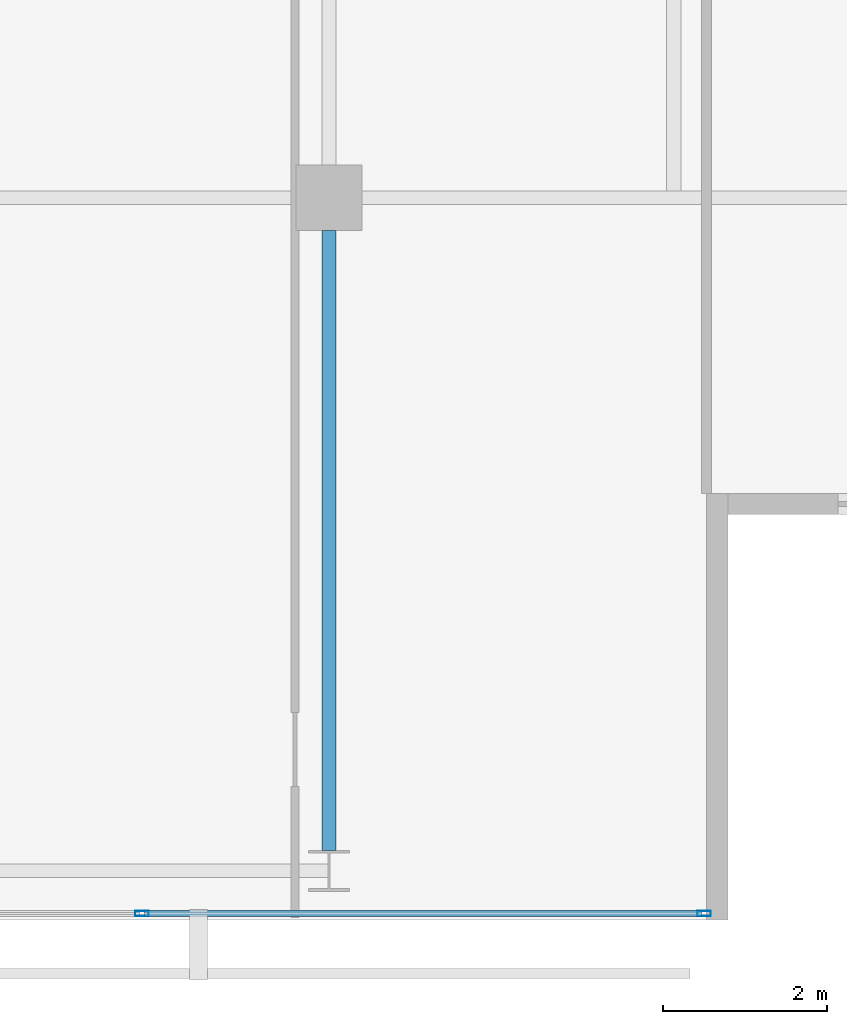
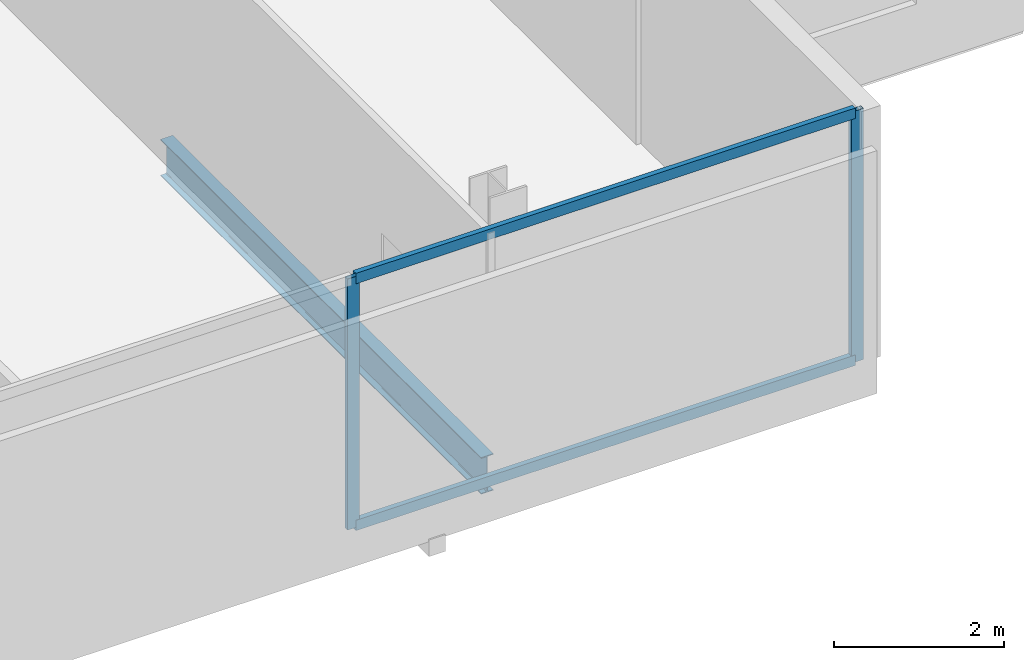
# One storey, part 10 of 25: 4 members, 1 beam, 1 element without a shape of its own.
"""IFC4 building model written with IfcOpenShell, lengths in metres."""

from ifc_helpers import new_model, si_unit, direction, frame, origin, origin_2d, place, context, subcontext, project, spatial, hollow_rectangle, i_section, extrude, material, layer, layer_set, material_profile, profile_set, type_object, element, aggregate, save


model = new_model("IFC4")

# Units and contexts
model_context = context("Model", 3, precision=1e-05, world=origin(), true_north=direction((0.0, 1.0)))
body_context = subcontext(model_context, "Body", "Model", "MODEL_VIEW")
ifc_project = project(units=[si_unit("LENGTHUNIT", "METRE"), si_unit("AREAUNIT", "SQUARE_METRE"), si_unit("VOLUMEUNIT", "CUBIC_METRE"), si_unit("PLANEANGLEUNIT", "RADIAN"), si_unit("MASSUNIT", "GRAM", prefix="KILO")], contexts=[model_context])

# Site, building, storey
site_placement = place(None, origin())
site = spatial("IfcSite", under=ifc_project, at=site_placement, CompositionType="ELEMENT")
building_placement = place(site_placement, origin())
building = spatial("IfcBuilding", under=site, at=building_placement, Name="Maruvema Waterfront Hotel and Observation Tower", CompositionType="ELEMENT")
storey_placement = place(building_placement, frame((0.0, 0.0, 304.85009765625)))
storey = spatial("IfcBuildingStorey", under=building, at=storey_placement, Name="L75", CompositionType="ELEMENT", Elevation=304.85009765625)

# Curtain wall, members
ifc_material_1 = material(Name="Anodised bronze aluminium and solar-control low-E IGU", Category="aluminium")
ifc_layer = layer(ifc_material_1, 0.159912109375, Name="Zone 3 Champagne Inner Thermal Curtain Wall System CW-04")
ifc_layer_set = layer_set([ifc_layer], Name="Anodised bronze aluminium and solar-control low-E IGU")
curtain_wall_type = type_object("IfcCurtainWallType", Name="Zone 3 Champagne Inner Thermal Curtain Wall System CW-04", PredefinedType="USERDEFINED", material=ifc_layer_set)
curtain_wall_placement = place(storey_placement, origin())
curtain_wall = element("IfcCurtainWall", 1, at=curtain_wall_placement, inside=storey, type_object=curtain_wall_type, Name="L75 Curtain Wall CW-L75-S", ObjectType="UNITISED CURTAIN WALL", PredefinedType="USERDEFINED")
ifc_material_2 = material(Name="Anodised architectural bronze aluminium", Category="aluminium")
ifc_material_profile_1 = material_profile(ifc_material_2, hollow_rectangle(XDim=0.070068359375, YDim=0.14990234375, WallThickness=0.00390625, at=origin_2d()), Name="ALU-T70x150")
ifc_profile_set_1 = profile_set([ifc_material_profile_1], Name="Anodised architectural bronze aluminium")
member_type_1 = type_object("IfcMemberType", Name="Curtain Wall Horizontal Transom ALU-T70x150", PredefinedType="USERDEFINED", material=ifc_profile_set_1)
member_1_placement = place(storey_placement, frame((48.14990234375, 9.280029296875, 0.02978515625), z_axis=(1.0, 0.0, 0.0), x_axis=(0.0, 1.0, 0.0)))
member_1 = element("IfcMember", 2, at=member_1_placement, type_object=member_type_1, Name="CW-04 transom 5.1", ObjectType="TRANSOM", PredefinedType="USERDEFINED", context=body_context, shape_type="SweptSolid", body=[
    extrude(hollow_rectangle(XDim=0.070068359375, YDim=0.14990234375, WallThickness=0.00390625, at=origin_2d()), origin(), (0.0, 0.0, 1.0), 6.7900390625),
])
member_2_placement = place(storey_placement, frame((48.14990234375, 9.280029296875, 3.579833984375), z_axis=(1.0, 0.0, 0.0), x_axis=(0.0, 1.0, 0.0)))
member_2 = element("IfcMember", 3, at=member_2_placement, type_object=member_type_1, Name="CW-04 transom 5.2", ObjectType="TRANSOM", PredefinedType="USERDEFINED", context=body_context, shape_type="SweptSolid", body=[
    extrude(hollow_rectangle(XDim=0.070068359375, YDim=0.14990234375, WallThickness=0.00390625, at=origin_2d()), origin(), (0.0, 0.0, 1.0), 6.7900390625),
])
ifc_material_3 = material(Name="Anodised architectural bronze aluminium", Category="aluminium")
ifc_material_profile_2 = material_profile(ifc_material_3, hollow_rectangle(XDim=0.06494140625, YDim=0.1650390625, WallThickness=0.00390625, at=origin_2d()), Name="ALU-M65x165")
ifc_profile_set_2 = profile_set([ifc_material_profile_2], Name="Anodised architectural bronze aluminium")
member_type_2 = type_object("IfcMemberType", Name="Curtain Wall Primary Mullion ALU-M65x165", PredefinedType="MULLION", material=ifc_profile_set_2)
member_3_placement = place(storey_placement, frame((48.1201171875, 9.280029296875, 0.0), z_axis=(0.0, 0.0, 1.0), x_axis=(0.0, 1.0, 0.0)))
member_3 = element("IfcMember", 4, at=member_3_placement, type_object=member_type_2, Name="CW-04 mullion 5", PredefinedType="MULLION", context=body_context, shape_type="SweptSolid", body=[
    extrude(hollow_rectangle(XDim=0.06494140625, YDim=0.1650390625, WallThickness=0.00390625, at=origin_2d()), origin(), (0.0, 0.0, 1.0), 3.60986328125),
])
member_4_placement = place(storey_placement, frame((54.969970703125, 9.280029296875, 0.0), z_axis=(0.0, 0.0, 1.0), x_axis=(0.0, 1.0, 0.0)))
member_4 = element("IfcMember", 5, at=member_4_placement, type_object=member_type_2, Name="CW-04 mullion 6", PredefinedType="MULLION", context=body_context, shape_type="SweptSolid", body=[
    extrude(hollow_rectangle(XDim=0.06494140625, YDim=0.1650390625, WallThickness=0.00390625, at=origin_2d()), origin(), (0.0, 0.0, 1.0), 3.60986328125),
])
aggregate(curtain_wall, [member_3, member_4, member_1, member_2])

# Beam
ifc_material_4 = material(Name="Steel ASTM A572 Grade 50", Category="steel")
ifc_material_profile_3 = material_profile(ifc_material_4, i_section(OverallWidth=0.166015625, OverallDepth=0.529052734375, WebThickness=0.009765625, FlangeThickness=0.013671875, FilletRadius=0.014892578125, at=origin_2d()), Name="W530x74.0")
ifc_profile_set_3 = profile_set([ifc_material_profile_3], Name="Steel ASTM A572 Grade 50")
beam_type = type_object("IfcBeamType", Name="Primary Floor Girder W530x74.0", PredefinedType="BEAM", material=ifc_profile_set_3)
beam_placement = place(storey_placement, frame((50.39990234375, 10.050048828125, -0.504638671875), z_axis=(0.0, 1.0, 0.0), x_axis=(-1.0, 0.0, 0.0)))
element("IfcBeam", 6, at=beam_placement, inside=storey, type_object=beam_type, Name="L75 Floor Girder NS-12", PredefinedType="BEAM", context=body_context, shape_type="SweptSolid", body=[
    extrude(i_section(OverallWidth=0.166015625, OverallDepth=0.529052734375, WebThickness=0.009765625, FlangeThickness=0.013671875, FilletRadius=0.014892578125, at=origin_2d()), origin(), (0.0, 0.0, 1.0), 7.550048828125),
])

save(model, "model.ifc")
